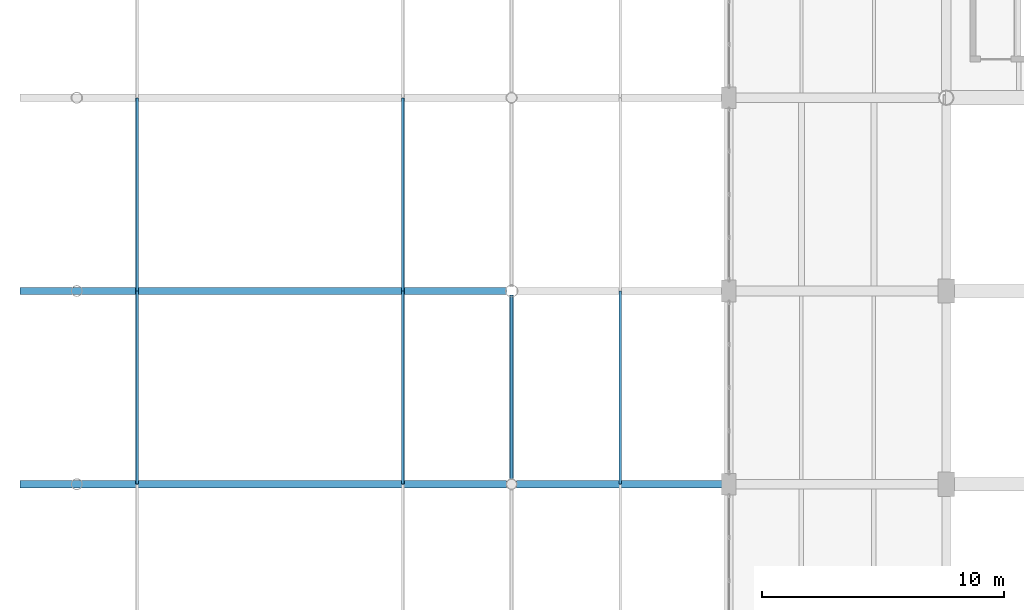
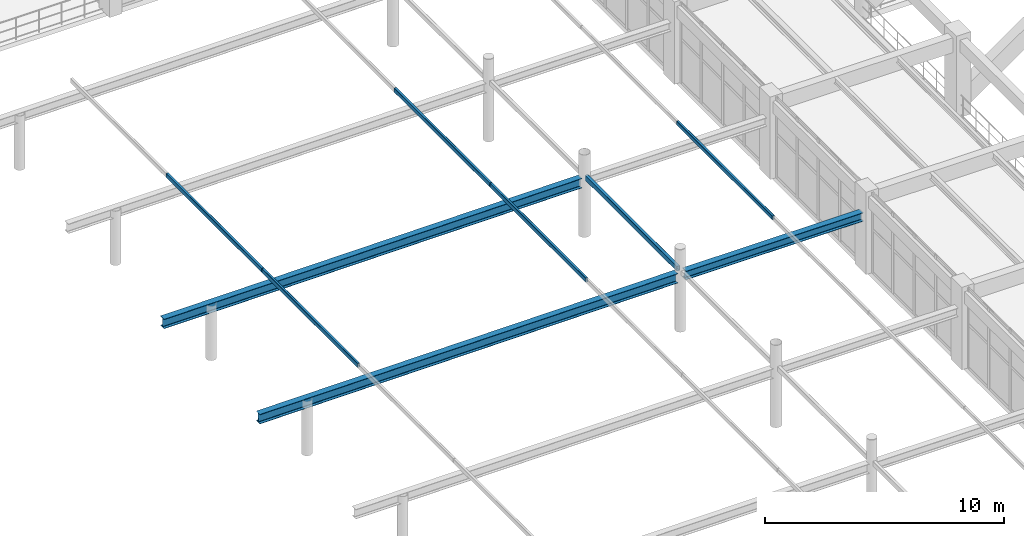
# One storey, part 51 of 148: 8 members, 1 beam.
"""IFC4 building model written with IfcOpenShell, lengths in metres."""

from ifc_helpers import new_model, si_unit, derived_unit, direction, frame, origin, origin_2d, place, context, subcontext, project, spatial, hollow_rectangle, i_section, extrude, material, material_profile, profile_set, type_object, element, save


model = new_model("IFC4")

# Units and contexts
model_context = context("Model", 3, precision=1e-05, world=origin(), true_north=direction((0.0, 1.0)))
body_context = subcontext(model_context, "Body", "Model", "MODEL_VIEW")
ifc_project = project(units=[si_unit("LENGTHUNIT", "METRE"), si_unit("AREAUNIT", "SQUARE_METRE"), si_unit("VOLUMEUNIT", "CUBIC_METRE"), si_unit("PLANEANGLEUNIT", "RADIAN"), si_unit("MASSUNIT", "GRAM", prefix="KILO"), derived_unit("THERMALTRANSMITTANCEUNIT", [(si_unit("MASSUNIT", "GRAM", prefix="KILO"), 1), (si_unit("TIMEUNIT", "SECOND"), -3), (si_unit("THERMODYNAMICTEMPERATUREUNIT", "KELVIN"), -1)])], contexts=[model_context])

# Site, building, storey
site_placement = place(None, origin())
site = spatial("IfcSite", under=ifc_project, at=site_placement, CompositionType="ELEMENT")
building_placement = place(site_placement, origin())
building = spatial("IfcBuilding", under=site, at=building_placement, Name="Zhenchuan Archway Interchange", CompositionType="ELEMENT")
storey_placement = place(building_placement, frame((0.0, 0.0, 10.199951171875)))
storey = spatial("IfcBuildingStorey", under=building, at=storey_placement, Name="L02", CompositionType="ELEMENT", Elevation=10.199951171875)

# Beam
ifc_material_1 = material(Name="Steel Q355", Category="steel")
ifc_material_profile_1 = material_profile(ifc_material_1, i_section(OverallWidth=0.300048828125, OverallDepth=0.43994140625, WebThickness=0.010986328125, FlangeThickness=0.01806640625, FilletRadius=0.02197265625, at=origin_2d()), Name="HM 440x300")
ifc_profile_set_1 = profile_set([ifc_material_profile_1], Name="Steel Q355")
beam_type = type_object("IfcBeamType", Name="BM_STL_HM440", PredefinedType="BEAM", material=ifc_profile_set_1)
beam_placement = place(storey_placement, frame((18.199951171875, 64.0, 2.75), z_axis=(1.0, 0.0, 0.0), x_axis=(0.0, 1.0, 0.0)))
element("IfcBeam", 1, at=beam_placement, inside=storey, type_object=beam_type, Name="ROOF TRUSS bus canopy T6 east bottom chord", PredefinedType="BEAM", context=body_context, shape_type="SweptSolid", body=[
    extrude(i_section(OverallWidth=0.300048828125, OverallDepth=0.43994140625, WebThickness=0.010986328125, FlangeThickness=0.01806640625, FilletRadius=0.02197265625, at=origin_2d()), origin(), (0.0, 0.0, 1.0), 8.550048828125),
])

# Members
ifc_material_2 = material(Name="Steel Q390", Category="steel")
ifc_material_profile_2 = material_profile(ifc_material_2, i_section(OverallWidth=0.300048828125, OverallDepth=0.488037109375, WebThickness=0.010986328125, FlangeThickness=0.01806640625, FilletRadius=0.02197265625, at=origin_2d()), Name="HM 488x300")
ifc_profile_set_2 = profile_set([ifc_material_profile_2], Name="Steel Q390")
member_type_1 = type_object("IfcMemberType", Name="MB_CHD_HM488", PredefinedType="CHORD", material=ifc_profile_set_2)
for number, where, z_axis, x_axis, name in (
    (2, (-2.35009765625, 64.0, 2.6201171875), (0.999979226799, 0.0, 0.006445616389), (0.0, 1.0, 0.0), "ROOF TRUSS bus canopy T6 west bottom chord"),
    (3, (-2.35009765625, 72.0, 2.6201171875), (0.999979226799, 0.0, 0.006445616389), (0.0, 1.0, 0.0), "ROOF TRUSS bus canopy T7 west bottom chord"),
):
    element("IfcMember", number, at=place(storey_placement, frame(where, z_axis=z_axis, x_axis=x_axis)), inside=storey, type_object=member_type_1, Name=name, PredefinedType="CHORD", context=body_context, shape_type="SweptSolid", body=[
        extrude(i_section(OverallWidth=0.300048828125, OverallDepth=0.488037109375, WebThickness=0.010986328125, FlangeThickness=0.01806640625, FilletRadius=0.02197265625, at=origin_2d()), origin(), (0.0, 0.0, 1.0), 20.150634765625),
    ])
ifc_material_profile_3 = material_profile(ifc_material_1, hollow_rectangle(XDim=0.1201171875, YDim=0.199951171875, WallThickness=0.008056640625, InnerFilletRadius=0.008056640625, OuterFilletRadius=0.01611328125, at=origin_2d()), Name="RHS 200x120x8")
ifc_profile_set_3 = profile_set([ifc_material_profile_3], Name="Steel Q355")
member_type_2 = type_object("IfcMemberType", Name="MB_RHS200", PredefinedType="PURLIN", material=ifc_profile_set_3)
member_1_placement = place(storey_placement, frame((22.5, 64.008056640625, 4.10009765625), z_axis=(0.0, 1.0, 0.0), x_axis=(-1.0, 0.0, 0.0)))
element("IfcMember", 4, at=member_1_placement, inside=storey, type_object=member_type_2, Name="Bus canopy roof purlin B6-P6", PredefinedType="PURLIN", context=body_context, shape_type="SweptSolid", body=[
    extrude(hollow_rectangle(XDim=0.1201171875, YDim=0.199951171875, WallThickness=0.008056640625, InnerFilletRadius=0.008056640625, OuterFilletRadius=0.01611328125, at=origin_2d()), origin(), (0.0, 0.0, 1.0), 7.98388671875),
])
ifc_material_profile_4 = material_profile(ifc_material_1, hollow_rectangle(XDim=0.1201171875, YDim=0.219970703125, WallThickness=0.008056640625, InnerFilletRadius=0.008056640625, OuterFilletRadius=0.01611328125, at=origin_2d()), Name="RHS 220x120x8")
ifc_profile_set_4 = profile_set([ifc_material_profile_4], Name="Steel Q355")
member_type_3 = type_object("IfcMemberType", Name="MB_RHS220", PredefinedType="PURLIN", material=ifc_profile_set_4)
for number, where, z_axis, x_axis, name in (
    (5, (2.5, 64.008056640625, 3.580078125), (0.0, 1.0, 0.0), (-1.0, 0.0, 0.0), "Bus canopy roof purlin B6-P1"),
    (6, (13.5, 64.008056640625, 4.080078125), (0.0, 1.0, 0.0), (-1.0, 0.0, 0.0), "Bus canopy roof purlin B6-P4"),
    (7, (2.5, 72.008056640625, 3.580078125), (0.0, 1.0, 0.0), (-1.0, 0.0, 0.0), "Bus canopy roof purlin B7-P1"),
    (8, (13.5, 72.008056640625, 4.080078125), (0.0, 1.0, 0.0), (-1.0, 0.0, 0.0), "Bus canopy roof purlin B7-P4"),
):
    element("IfcMember", number, at=place(storey_placement, frame(where, z_axis=z_axis, x_axis=x_axis)), inside=storey, type_object=member_type_3, Name=name, PredefinedType="PURLIN", context=body_context, shape_type="SweptSolid", body=[
        extrude(hollow_rectangle(XDim=0.1201171875, YDim=0.219970703125, WallThickness=0.008056640625, InnerFilletRadius=0.008056640625, OuterFilletRadius=0.01611328125, at=origin_2d()), origin(), (0.0, 0.0, 1.0), 7.98388671875),
    ])
ifc_material_profile_5 = material_profile(ifc_material_1, hollow_rectangle(XDim=0.14990234375, YDim=0.25, WallThickness=0.008056640625, InnerFilletRadius=0.008056640625, OuterFilletRadius=0.01611328125, at=origin_2d()), Name="RHS 250x150x8")
ifc_profile_set_5 = profile_set([ifc_material_profile_5], Name="Steel Q355")
member_type_4 = type_object("IfcMemberType", Name="MB_RHS250", PredefinedType="PURLIN", material=ifc_profile_set_5)
member_2_placement = place(storey_placement, frame((18.0, 64.159912109375, 3.0), z_axis=(0.0, 1.0, 0.0), x_axis=(-1.0, 0.0, 0.0)))
element("IfcMember", 9, at=member_2_placement, inside=storey, type_object=member_type_4, Name="Bus canopy roof purlin B6-P5", PredefinedType="PURLIN", context=body_context, shape_type="SweptSolid", body=[
    extrude(hollow_rectangle(XDim=0.14990234375, YDim=0.25, WallThickness=0.008056640625, InnerFilletRadius=0.008056640625, OuterFilletRadius=0.01611328125, at=origin_2d()), origin(), (0.0, 0.0, 1.0), 7.68017578125),
])

save(model, "model.ifc")
